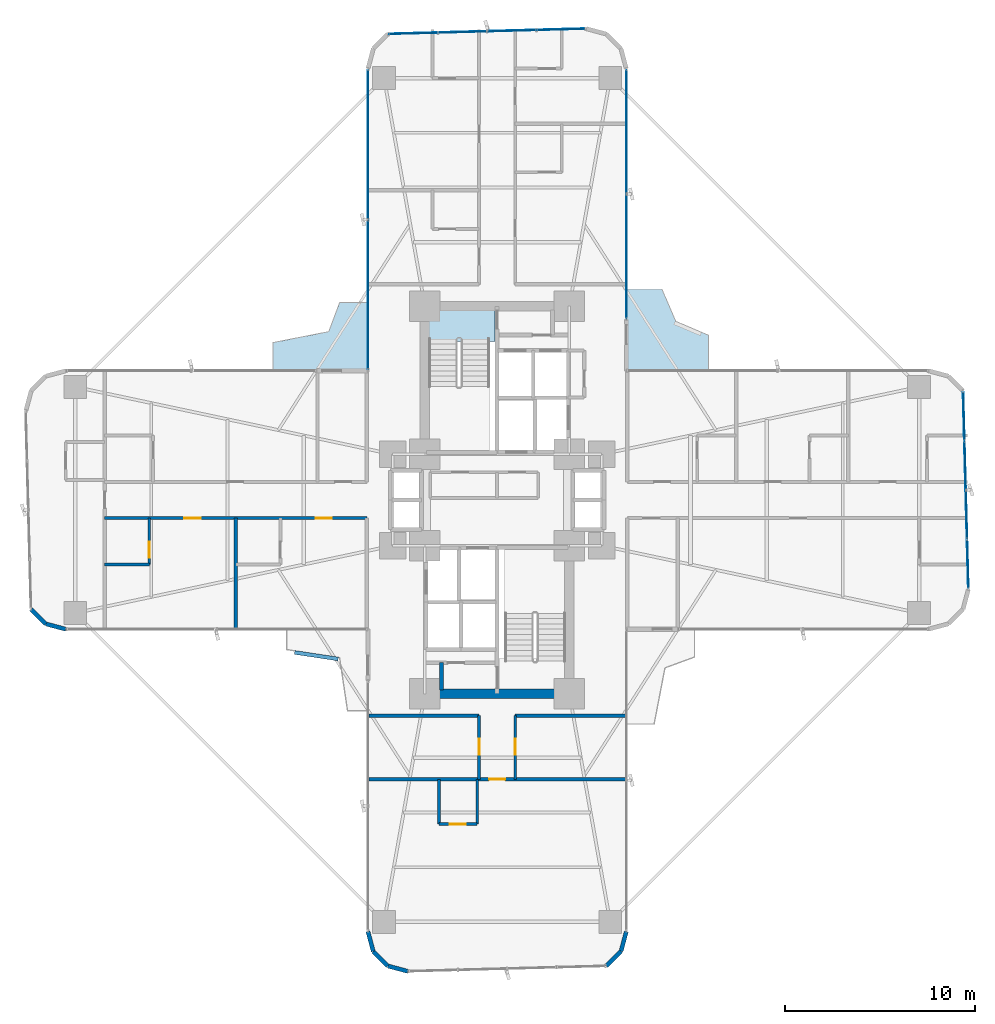
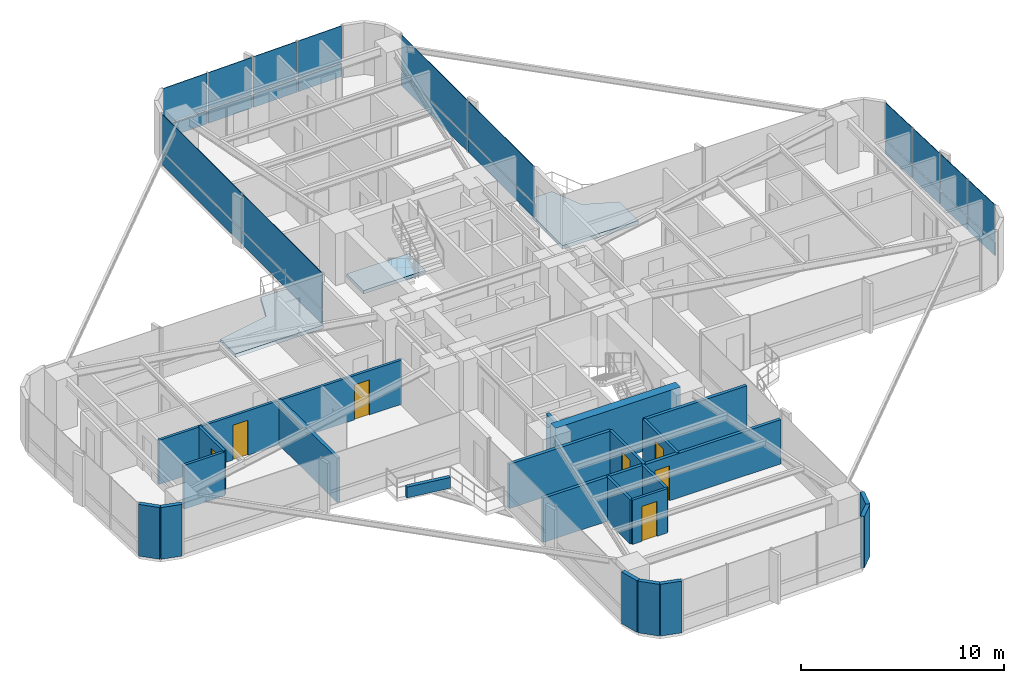
# One storey, part 21 of 26: 24 plates, 22 walls, 7 doors, 3 slabs, 7 openings, 4 elements without a shape of their own.
"""IFC4 building model written with IfcOpenShell, lengths in metres."""

import ifcopenshell
import ifcopenshell.guid

model = None  # the IFC model being written
_history = None  # IfcOwnerHistory: only IFC2X3 demands one
_inside = {}  # id of a spatial element -> (the spatial element, [elements in it])
_under = {}  # id of a project, library or spatial element -> (it, [spatial elements below it])
_declared = {}  # id of a project -> (the project, [libraries it declares])
_typed = {}  # id of a type object -> (the type object, [elements of that type])
_made_of = {}  # id of a material, layer set ... -> (it, [elements and type objects made of it])


def new_model(schema):
    """Start an empty IFC model of exactly this schema.

    Asked for "IFC4X3", IfcOpenShell would pick the latest addendum, in which some entities
    have other attributes; the version numbers below select the first issue.
    IFC2X3 requires an IfcOwnerHistory on every rooted entity: one is made here for all.
    """
    global model, _history
    if schema == "IFC4X3":
        model = ifcopenshell.file(schema_version=(4, 3, 0, 0))
    else:
        model = ifcopenshell.file(schema=schema)
    _inside.clear()
    _under.clear()
    _declared.clear()
    _typed.clear()
    _made_of.clear()
    _history = None
    if model.schema == "IFC2X3":
        org = make("IfcOrganization", Name="unknown")
        user = make(
            "IfcPersonAndOrganization",
            ThePerson=make("IfcPerson", FamilyName="unknown"),
            TheOrganization=org,
        )
        app = make(
            "IfcApplication",
            ApplicationDeveloper=org,
            Version="unknown",
            ApplicationFullName="unknown",
            ApplicationIdentifier="unknown",
        )
        _history = make(
            "IfcOwnerHistory",
            OwningUser=user,
            OwningApplication=app,
            ChangeAction="ADDED",
            CreationDate=0,
        )
    return model


def make(cls, **values):
    """One entity of the class cls with the attributes given. An attribute that is None is left unset."""
    return model.create_entity(
        cls, **{name: value for name, value in values.items() if value is not None}
    )


def rooted(cls, **values):
    """An entity with a GlobalId (a new one), such as an element, a storey or a relation."""
    return make(cls, GlobalId=ifcopenshell.guid.new(), OwnerHistory=_history, **values)


def si_unit(unit_type, name, prefix=None):
    """IfcSIUnit, for example si_unit("LENGTHUNIT", "METRE", prefix="MILLI")."""
    return make("IfcSIUnit", UnitType=unit_type, Prefix=prefix, Name=name)


def assignment(units):
    """IfcUnitAssignment: the units of a project."""
    return None if units is None else make("IfcUnitAssignment", Units=units)


def point(xyz):
    """IfcCartesianPoint."""
    return None if xyz is None else make("IfcCartesianPoint", Coordinates=xyz)


def direction(xyz):
    """IfcDirection."""
    return None if xyz is None else make("IfcDirection", DirectionRatios=xyz)


def frame(location, z_axis=None, x_axis=None):
    """IfcAxis2Placement3D, a coordinate frame: its origin and axes. An axis left out is left unset."""
    return make(
        "IfcAxis2Placement3D",
        Location=point(location),
        Axis=direction(z_axis),
        RefDirection=direction(x_axis),
    )


def frame_2d(location, x_axis=None):
    """IfcAxis2Placement2D, a coordinate frame in the plane: its origin and x axis."""
    return make(
        "IfcAxis2Placement2D", Location=point(location), RefDirection=direction(x_axis)
    )


def origin():
    """The frame at (0, 0, 0) with its axes left unset."""
    return frame((0.0, 0.0, 0.0))


def origin_2d():
    """The frame at (0, 0) in the plane with its x axis left unset."""
    return frame_2d((0.0, 0.0))


def place(relative_to, where):
    """IfcLocalPlacement: puts the frame where relative to a parent placement (None: the world)."""
    return make(
        "IfcLocalPlacement", PlacementRelTo=relative_to, RelativePlacement=where
    )


def context(
    kind, dimensions, precision=None, world=None, true_north=None, identifier=None
):
    """IfcGeometricRepresentationContext, for example the 3D "Model" context."""
    return make(
        "IfcGeometricRepresentationContext",
        ContextIdentifier=identifier,
        ContextType=kind,
        CoordinateSpaceDimension=dimensions,
        Precision=precision,
        WorldCoordinateSystem=world,
        TrueNorth=true_north,
    )


def subcontext(parent, identifier, kind, view, scale=None):
    """IfcGeometricRepresentationSubContext, for example "Body" below "Model"."""
    return make(
        "IfcGeometricRepresentationSubContext",
        ContextIdentifier=identifier,
        ContextType=kind,
        ParentContext=parent,
        TargetScale=scale,
        TargetView=view,
    )


def project(units=None, contexts=None):
    """IfcProject with its units and contexts."""
    return rooted(
        "IfcProject",
        Name="project",
        RepresentationContexts=contexts,
        UnitsInContext=assignment(units),
    )


def spatial(cls, under=None, at=None, **own):
    """A site, building, storey or space (cls), placed at a placement, below another one or the project."""
    s = rooted(cls, ObjectPlacement=at, **own)
    if under is not None:
        _under.setdefault(under.id(), (under, []))[1].append(s)
    return s


def polyline(points):
    """IfcPolyline through the points."""
    return make("IfcPolyline", Points=[point(p) for p in points])


def profile(cls, at=None, kind="AREA", **sizes):
    """A parametric profile (cls). Its sizes go by their IFC names, for example OverallWidth=200.0."""
    return make(cls, ProfileType=kind, Position=at, **sizes)


def rectangle(**sizes):
    """IfcRectangleProfileDef."""
    return profile("IfcRectangleProfileDef", **sizes)


def outline(outer, holes=None, kind="AREA"):
    """IfcArbitraryClosedProfileDef: a profile drawn as a closed curve; with holes, ...WithVoids."""
    if holes is None:
        return make("IfcArbitraryClosedProfileDef", ProfileType=kind, OuterCurve=outer)
    return make(
        "IfcArbitraryProfileDefWithVoids",
        ProfileType=kind,
        OuterCurve=outer,
        InnerCurves=holes,
    )


def extrude(swept, where, along, depth):
    """IfcExtrudedAreaSolid: the profile swept, set in the frame where, extruded along a direction by depth."""
    return make(
        "IfcExtrudedAreaSolid",
        SweptArea=swept,
        Position=where,
        ExtrudedDirection=direction(along),
        Depth=depth,
    )


def shape(context_of_items, identifier, shape_type, items):
    """IfcShapeRepresentation: the items that make up one representation, for example the "Body"."""
    return make(
        "IfcShapeRepresentation",
        ContextOfItems=context_of_items,
        RepresentationIdentifier=identifier,
        RepresentationType=shape_type,
        Items=items,
    )


def source(mapping_origin, context_of_items, identifier, shape_type, items):
    """IfcRepresentationMap: a shape defined once, which mapped items show again and again."""
    return make(
        "IfcRepresentationMap",
        MappingOrigin=mapping_origin,
        MappedRepresentation=shape(context_of_items, identifier, shape_type, items),
    )


def transform(
    local_origin,
    x_axis=None,
    y_axis=None,
    z_axis=None,
    scale=None,
    scale2=None,
    scale3=None,
    uniform=True,
):
    """IfcCartesianTransformationOperator3D, or its non-uniform kind. x_axis, y_axis, z_axis: its Axis1, 2, 3."""
    if uniform:
        return make(
            "IfcCartesianTransformationOperator3D",
            Axis1=direction(x_axis),
            Axis2=direction(y_axis),
            LocalOrigin=point(local_origin),
            Scale=scale,
            Axis3=direction(z_axis),
        )
    return make(
        "IfcCartesianTransformationOperator3DnonUniform",
        Axis1=direction(x_axis),
        Axis2=direction(y_axis),
        LocalOrigin=point(local_origin),
        Scale=scale,
        Axis3=direction(z_axis),
        Scale2=scale2,
        Scale3=scale3,
    )


def mapped(mapping_source, mapping_target):
    """IfcMappedItem: shows the shape of a source again, moved by a transform."""
    return make(
        "IfcMappedItem", MappingSource=mapping_source, MappingTarget=mapping_target
    )


def material(Name=None, Category=None):
    """IfcMaterial."""
    return make("IfcMaterial", Name=Name, Category=Category)


def layer(
    of_material, thickness, ventilated=None, Name=None, Category=None, Priority=None
):
    """IfcMaterialLayer: one layer of a wall or slab, of a material (None: an air gap)."""
    return make(
        "IfcMaterialLayer",
        Material=of_material,
        LayerThickness=thickness,
        IsVentilated=ventilated,
        Name=Name,
        Category=Category,
        Priority=Priority,
    )


def layer_set(layers, Name=None):
    """IfcMaterialLayerSet."""
    return make("IfcMaterialLayerSet", MaterialLayers=layers, LayerSetName=Name)


def made_of(thing, what):
    """Note that an element or type object is made of a material, layer set ...; save() writes the relation."""
    if what is not None:
        _made_of.setdefault(what.id(), (what, []))[1].append(thing)
    return thing


def type_object(cls, material=None, **own):
    """A type object (cls), such as IfcWallType, which elements share."""
    return made_of(rooted(cls, **own), material)


def element(
    cls,
    number,
    at=None,
    inside=None,
    cuts=None,
    type_object=None,
    material=None,
    context=None,
    identifier="Body",
    shape_type=None,
    held_by="IfcProductDefinitionShape",
    body=None,
    shapes=None,
    **own,
):
    """One element of the class cls, such as IfcWall. Its Tag is "e" and its number.

    at: its placement. inside: the storey or other place that contains it. cuts: it is an
    opening in that element (IfcRelVoidsElement). A single representation is given by context,
    identifier, shape_type and body (its items); several are given by shapes. held_by: the class
    of the entity that holds the representations. save() writes the other relations.
    """
    e = rooted(cls, Tag="e%d" % number, ObjectPlacement=at, **own)
    if body is not None:
        shapes = [shape(context, identifier, shape_type, body)]
    if shapes is not None:
        e.Representation = make(held_by, Representations=shapes)
    if inside is not None:
        _inside.setdefault(inside.id(), (inside, []))[1].append(e)
    if cuts is not None:
        rooted(
            "IfcRelVoidsElement", RelatingBuildingElement=cuts, RelatedOpeningElement=e
        )
    if type_object is not None:
        _typed.setdefault(type_object.id(), (type_object, []))[1].append(e)
    return made_of(e, material)


def fill(opening, filler):
    """IfcRelFillsElement: the door or window that sits in an opening."""
    return rooted(
        "IfcRelFillsElement",
        RelatingOpeningElement=opening,
        RelatedBuildingElement=filler,
    )


def aggregate(whole, parts):
    """IfcRelAggregates: a whole, such as a stair, and the parts it consists of."""
    return rooted("IfcRelAggregates", RelatingObject=whole, RelatedObjects=parts)


def save(model, path):
    """Write the relations noted so far, then the file.

    IfcRelAggregates (storeys below a building ...), IfcRelContainedInSpatialStructure (elements
    in a storey), IfcRelDefinesByType, IfcRelAssociatesMaterial and IfcRelDeclares: one each for
    every whole, place, type object, material and project.
    """
    for whole, parts in _under.values():
        aggregate(whole, parts)
    for where, things in _inside.values():
        rooted(
            "IfcRelContainedInSpatialStructure",
            RelatedElements=things,
            RelatingStructure=where,
        )
    for kind, things in _typed.values():
        rooted("IfcRelDefinesByType", RelatedObjects=things, RelatingType=kind)
    for what, things in _made_of.values():
        rooted("IfcRelAssociatesMaterial", RelatedObjects=things, RelatingMaterial=what)
    for by, libraries in _declared.values():
        rooted("IfcRelDeclares", RelatingContext=by, RelatedDefinitions=libraries)
    model.write(path)


model = new_model("IFC4")

# Units and contexts
model_context = context("Model", 3, precision=1e-05, world=origin(), true_north=direction((0.0, 1.0)))
body_context = subcontext(model_context, "Body", "Model", "MODEL_VIEW")
ifc_project = project(units=[si_unit("LENGTHUNIT", "METRE"), si_unit("AREAUNIT", "SQUARE_METRE"), si_unit("VOLUMEUNIT", "CUBIC_METRE"), si_unit("PLANEANGLEUNIT", "RADIAN"), si_unit("MASSUNIT", "GRAM", prefix="KILO")], contexts=[model_context])

# Site, building, storey
site_placement = place(None, origin())
site = spatial("IfcSite", under=ifc_project, at=site_placement, CompositionType="ELEMENT")
building_placement = place(site_placement, origin())
building = spatial("IfcBuilding", under=site, at=building_placement, Name="Sahyath Konkavel Grand Hotel", CompositionType="ELEMENT")
storey_placement = place(building_placement, frame((0.0, 0.0, 26.449951171875)))
storey = spatial("IfcBuildingStorey", under=building, at=storey_placement, Name="L06", CompositionType="ELEMENT", Elevation=26.449951171875)

# Slabs
ifc_material_1 = material(Name="Concrete C40/50", Category="concrete")
ifc_layer_1 = layer(ifc_material_1, 0.219970703125)
ifc_layer_set_1 = layer_set([ifc_layer_1], Name="Concrete C40/50")
slab_type_1 = type_object("IfcSlabType", Name="SLB-BALCONY-220", PredefinedType="FLOOR", material=ifc_layer_set_1)
slab_1_placement = place(storey_placement, frame((0.0, 0.0, -0.219970703125)))
element("IfcSlab", 1, at=slab_1_placement, inside=storey, type_object=slab_type_1, Name="L06 Winter-Garden Balcony NE", PredefinedType="FLOOR", context=body_context, shape_type="SweptSolid", body=[
    extrude(outline(polyline([(6.800048828125, 6.800048828125), (11.111083984375, 6.800048828125), (11.111083984375, 8.672119140625), (9.39990234375, 9.39990234375), (8.672119140625, 11.089111328125), (6.800048828125, 11.089111328125), (6.800048828125, 6.800048828125)])), origin(), (0.0, 0.0, 1.0), 0.219970703125),
])
slab_2_placement = place(storey_placement, frame((0.0, 0.0, -0.219970703125)))
element("IfcSlab", 2, at=slab_2_placement, inside=storey, type_object=slab_type_1, Name="L06 Winter-Garden Balcony NW", PredefinedType="FLOOR", context=body_context, shape_type="SweptSolid", body=[
    extrude(outline(polyline([(-6.800048828125, 6.800048828125), (-6.800048828125, 10.39990234375), (-8.282470703125, 10.39990234375), (-8.85888671875, 8.85888671875), (-11.800048828125, 8.282470703125), (-11.800048828125, 6.800048828125), (-6.800048828125, 6.800048828125)])), origin(), (0.0, 0.0, 1.0), 0.219970703125),
])
ifc_layer_2 = layer(ifc_material_1, 0.199951171875)
ifc_layer_set_2 = layer_set([ifc_layer_2], Name="Concrete C40/50")
slab_type_2 = type_object("IfcSlabType", Name="SLB-STAIR-LND", PredefinedType="LANDING", material=ifc_layer_set_2)
slab_3_placement = place(storey_placement, frame((0.0, 0.0, -0.199951171875)))
element("IfcSlab", 3, at=slab_3_placement, inside=storey, type_object=slab_type_2, Name="L06 Stair ST-1 Floor Landing Slab", PredefinedType="LANDING", context=body_context, shape_type="SweptSolid", body=[
    extrude(outline(polyline([(-3.6201171875, 8.35009765625), (-0.10009765625, 8.35009765625), (-0.10009765625, 10.02001953125), (-3.6201171875, 10.02001953125), (-3.6201171875, 8.35009765625)])), origin(), (0.0, 0.0, 1.0), 0.199951171875),
])

# Curtain wall, plates
ifc_material_2 = material(Name="Anodised Bronze Aluminium & Low-E Glazing", Category="aluminium")
curtain_wall_type = type_object("IfcCurtainWallType", Name="CW-ZONE1", PredefinedType="NOTDEFINED", material=ifc_material_2)
curtain_wall_1_placement = place(storey_placement, origin())
curtain_wall_1 = element("IfcCurtainWall", 4, at=curtain_wall_1_placement, inside=storey, type_object=curtain_wall_type, Name="L06 Unitised Curtain Wall F15", PredefinedType="NOTDEFINED")
ifc_material_3 = material(Name="Warm Buff Sandstone Cladding", Category="masonry")
ifc_layer_3 = layer(ifc_material_3, 0.074951171875)
ifc_layer_set_3 = layer_set([ifc_layer_3], Name="Warm Buff Sandstone Cladding")
plate_type_1 = type_object("IfcPlateType", Name="PNL-SPANDREL-STONE", PredefinedType="SHEET", material=ifc_layer_set_3)
shared_shape_1 = source(origin(), body_context, "Body", "SweptSolid", [
    extrude(rectangle(XDim=7.830078125, YDim=0.074951171875, at=origin_2d()), origin(), (0.0, 0.0, 1.0), 0.77001953125),
])
plate_1_placement = place(storey_placement, frame((-6.800048828125, 18.705078125, 0.0400390625), z_axis=(0.0, 0.0, 1.0), x_axis=(0.0, -1.0, 0.0)))
plate_1 = element("IfcPlate", 5, at=plate_1_placement, type_object=plate_type_1, Name="L06 Sandstone Relief Spandrel Panel F15-0", PredefinedType="SHEET", context=body_context, shape_type="MappedRepresentation", body=[
    mapped(shared_shape_1, transform((0.0, 0.0, 0.0), scale=1.0)),
])
plate_2_placement = place(storey_placement, frame((-6.800048828125, 10.794921875, 0.0400390625), z_axis=(0.0, 0.0, 1.0), x_axis=(0.0, -1.0, 0.0)))
plate_2 = element("IfcPlate", 6, at=plate_2_placement, type_object=plate_type_1, Name="L06 Sandstone Relief Spandrel Panel F15-1", PredefinedType="SHEET", context=body_context, shape_type="MappedRepresentation", body=[
    mapped(shared_shape_1, transform((0.0, 0.0, 0.0), scale=1.0)),
])
ifc_material_4 = material(Name="Low-E Solar Control Double Glazing", Category="glass")
ifc_layer_4 = layer(ifc_material_4, 0.035888671875)
ifc_layer_set_4 = layer_set([ifc_layer_4], Name="Low-E Solar Control Double Glazing")
plate_type_2 = type_object("IfcPlateType", Name="PNL-VISION-LOWE", PredefinedType="CURTAIN_PANEL", material=ifc_layer_set_4)
shared_shape_2 = source(origin(), body_context, "Body", "SweptSolid", [
    extrude(rectangle(XDim=7.830078125, YDim=0.035888671875, at=origin_2d()), origin(), (0.0, 0.0, 1.0), 2.179931640625),
])
plate_3_placement = place(storey_placement, frame((-6.800048828125, 18.705078125, 0.89013671875), z_axis=(0.0, 0.0, 1.0), x_axis=(0.0, -1.0, 0.0)))
plate_3 = element("IfcPlate", 7, at=plate_3_placement, type_object=plate_type_2, Name="L06 Low-E Vision Glazing Panel F15-0", PredefinedType="CURTAIN_PANEL", context=body_context, shape_type="MappedRepresentation", body=[
    mapped(shared_shape_2, transform((0.0, 0.0, 0.0), scale=1.0)),
])
plate_4_placement = place(storey_placement, frame((-6.800048828125, 10.794921875, 0.89013671875), z_axis=(0.0, 0.0, 1.0), x_axis=(0.0, -1.0, 0.0)))
plate_4 = element("IfcPlate", 8, at=plate_4_placement, type_object=plate_type_2, Name="L06 Low-E Vision Glazing Panel F15-1", PredefinedType="CURTAIN_PANEL", context=body_context, shape_type="MappedRepresentation", body=[
    mapped(shared_shape_2, transform((0.0, 0.0, 0.0), scale=1.0)),
])
aggregate(curtain_wall_1, [plate_1, plate_3, plate_2, plate_4])

curtain_wall_2_placement = place(storey_placement, origin())
curtain_wall_2 = element("IfcCurtainWall", 9, at=curtain_wall_2_placement, inside=storey, type_object=curtain_wall_type, Name="L06 Unitised Curtain Wall F4", PredefinedType="NOTDEFINED")
shared_shape_3 = source(origin(), body_context, "Body", "SweptSolid", [
    extrude(rectangle(XDim=2.513427734375, YDim=0.074951171875, at=origin_2d()), origin(), (0.0, 0.0, 1.0), 0.77001953125),
])
plate_5_placement = place(storey_placement, frame((24.763916015625, -3.36376953125, 0.0400390625), z_axis=(0.0, 0.0, 1.0), x_axis=(-0.026909728301, 0.999637867691, 0.0)))
plate_5 = element("IfcPlate", 10, at=plate_5_placement, type_object=plate_type_1, Name="L06 Sandstone Relief Spandrel Panel F4-0", PredefinedType="SHEET", context=body_context, shape_type="MappedRepresentation", body=[
    mapped(shared_shape_3, transform((0.0, 0.0, 0.0), scale=1.0)),
])
plate_6_placement = place(storey_placement, frame((24.694091796875, -0.771240234375, 0.0400390625), z_axis=(0.0, 0.0, 1.0), x_axis=(-0.026909728301, 0.999637867691, 0.0)))
plate_6 = element("IfcPlate", 11, at=plate_6_placement, type_object=plate_type_1, Name="L06 Sandstone Relief Spandrel Panel F4-1", PredefinedType="SHEET", context=body_context, shape_type="MappedRepresentation", body=[
    mapped(shared_shape_3, transform((0.0, 0.0, 0.0), scale=1.0)),
])
plate_7_placement = place(storey_placement, frame((24.62451171875, 1.8212890625, 0.0400390625), z_axis=(0.0, 0.0, 1.0), x_axis=(-0.026909728301, 0.999637867691, 0.0)))
plate_7 = element("IfcPlate", 12, at=plate_7_placement, type_object=plate_type_1, Name="L06 Sandstone Relief Spandrel Panel F4-2", PredefinedType="SHEET", context=body_context, shape_type="MappedRepresentation", body=[
    mapped(shared_shape_3, transform((0.0, 0.0, 0.0), scale=1.0)),
])
plate_8_placement = place(storey_placement, frame((24.5546875, 4.413818359375, 0.0400390625), z_axis=(0.0, 0.0, 1.0), x_axis=(-0.026909728301, 0.999637867691, 0.0)))
plate_8 = element("IfcPlate", 13, at=plate_8_placement, type_object=plate_type_1, Name="L06 Sandstone Relief Spandrel Panel F4-3", PredefinedType="SHEET", context=body_context, shape_type="MappedRepresentation", body=[
    mapped(shared_shape_3, transform((0.0, 0.0, 0.0), scale=1.0)),
])

curtain_wall_3_placement = place(storey_placement, origin())
curtain_wall_3 = element("IfcCurtainWall", 14, at=curtain_wall_3_placement, inside=storey, type_object=curtain_wall_type, Name="L06 Unitised Curtain Wall F12", PredefinedType="NOTDEFINED")
plate_9_placement = place(storey_placement, frame((3.36376953125, 24.763916015625, 0.0400390625), z_axis=(0.0, 0.0, 1.0), x_axis=(-0.999637867691, -0.026909728301, 0.0)))
plate_9 = element("IfcPlate", 15, at=plate_9_placement, type_object=plate_type_1, Name="L06 Sandstone Relief Spandrel Panel F12-0", PredefinedType="SHEET", context=body_context, shape_type="MappedRepresentation", body=[
    mapped(shared_shape_3, transform((0.0, 0.0, 0.0), scale=1.0)),
])
plate_10_placement = place(storey_placement, frame((0.771240234375, 24.694091796875, 0.0400390625), z_axis=(0.0, 0.0, 1.0), x_axis=(-0.999637867691, -0.026909728301, 0.0)))
plate_10 = element("IfcPlate", 16, at=plate_10_placement, type_object=plate_type_1, Name="L06 Sandstone Relief Spandrel Panel F12-1", PredefinedType="SHEET", context=body_context, shape_type="MappedRepresentation", body=[
    mapped(shared_shape_3, transform((0.0, 0.0, 0.0), scale=1.0)),
])
plate_11_placement = place(storey_placement, frame((-1.8212890625, 24.62451171875, 0.0400390625), z_axis=(0.0, 0.0, 1.0), x_axis=(-0.999637867691, -0.026909728301, 0.0)))
plate_11 = element("IfcPlate", 17, at=plate_11_placement, type_object=plate_type_1, Name="L06 Sandstone Relief Spandrel Panel F12-2", PredefinedType="SHEET", context=body_context, shape_type="MappedRepresentation", body=[
    mapped(shared_shape_3, transform((0.0, 0.0, 0.0), scale=1.0)),
])
plate_12_placement = place(storey_placement, frame((-4.413818359375, 24.5546875, 0.0400390625), z_axis=(0.0, 0.0, 1.0), x_axis=(-0.999637867691, -0.026909728301, 0.0)))
plate_12 = element("IfcPlate", 18, at=plate_12_placement, type_object=plate_type_1, Name="L06 Sandstone Relief Spandrel Panel F12-3", PredefinedType="SHEET", context=body_context, shape_type="MappedRepresentation", body=[
    mapped(shared_shape_3, transform((0.0, 0.0, 0.0), scale=1.0)),
])

# Plate
shared_shape_4 = source(origin(), body_context, "Body", "SweptSolid", [
    extrude(rectangle(XDim=2.513427734375, YDim=0.035888671875, at=origin_2d()), origin(), (0.0, 0.0, 1.0), 2.179931640625),
])
plate_13_placement = place(storey_placement, frame((24.763916015625, -3.36376953125, 0.89013671875), z_axis=(0.0, 0.0, 1.0), x_axis=(-0.026909728301, 0.999637867691, 0.0)))
plate_13 = element("IfcPlate", 19, at=plate_13_placement, type_object=plate_type_2, Name="L06 Low-E Vision Glazing Panel F4-0", PredefinedType="CURTAIN_PANEL", context=body_context, shape_type="MappedRepresentation", body=[
    mapped(shared_shape_4, transform((0.0, 0.0, 0.0), scale=1.0)),
])

plate_14_placement = place(storey_placement, frame((24.694091796875, -0.771240234375, 0.89013671875), z_axis=(0.0, 0.0, 1.0), x_axis=(-0.026909728301, 0.999637867691, 0.0)))
plate_14 = element("IfcPlate", 20, at=plate_14_placement, type_object=plate_type_2, Name="L06 Low-E Vision Glazing Panel F4-1", PredefinedType="CURTAIN_PANEL", context=body_context, shape_type="MappedRepresentation", body=[
    mapped(shared_shape_4, transform((0.0, 0.0, 0.0), scale=1.0)),
])

plate_15_placement = place(storey_placement, frame((24.62451171875, 1.8212890625, 0.89013671875), z_axis=(0.0, 0.0, 1.0), x_axis=(-0.026909728301, 0.999637867691, 0.0)))
plate_15 = element("IfcPlate", 21, at=plate_15_placement, type_object=plate_type_2, Name="L06 Low-E Vision Glazing Panel F4-2", PredefinedType="CURTAIN_PANEL", context=body_context, shape_type="MappedRepresentation", body=[
    mapped(shared_shape_4, transform((0.0, 0.0, 0.0), scale=1.0)),
])

plate_16_placement = place(storey_placement, frame((24.5546875, 4.413818359375, 0.89013671875), z_axis=(0.0, 0.0, 1.0), x_axis=(-0.026909728301, 0.999637867691, 0.0)))
plate_16 = element("IfcPlate", 22, at=plate_16_placement, type_object=plate_type_2, Name="L06 Low-E Vision Glazing Panel F4-3", PredefinedType="CURTAIN_PANEL", context=body_context, shape_type="MappedRepresentation", body=[
    mapped(shared_shape_4, transform((0.0, 0.0, 0.0), scale=1.0)),
])

aggregate(curtain_wall_2, [plate_5, plate_13, plate_6, plate_14, plate_7, plate_15, plate_8, plate_16])

plate_17_placement = place(storey_placement, frame((3.36376953125, 24.763916015625, 0.89013671875), z_axis=(0.0, 0.0, 1.0), x_axis=(-0.999637867691, -0.026909728301, 0.0)))
plate_17 = element("IfcPlate", 23, at=plate_17_placement, type_object=plate_type_2, Name="L06 Low-E Vision Glazing Panel F12-0", PredefinedType="CURTAIN_PANEL", context=body_context, shape_type="MappedRepresentation", body=[
    mapped(shared_shape_4, transform((0.0, 0.0, 0.0), scale=1.0)),
])

plate_18_placement = place(storey_placement, frame((0.771240234375, 24.694091796875, 0.89013671875), z_axis=(0.0, 0.0, 1.0), x_axis=(-0.999637867691, -0.026909728301, 0.0)))
plate_18 = element("IfcPlate", 24, at=plate_18_placement, type_object=plate_type_2, Name="L06 Low-E Vision Glazing Panel F12-1", PredefinedType="CURTAIN_PANEL", context=body_context, shape_type="MappedRepresentation", body=[
    mapped(shared_shape_4, transform((0.0, 0.0, 0.0), scale=1.0)),
])

plate_19_placement = place(storey_placement, frame((-1.8212890625, 24.62451171875, 0.89013671875), z_axis=(0.0, 0.0, 1.0), x_axis=(-0.999637867691, -0.026909728301, 0.0)))
plate_19 = element("IfcPlate", 25, at=plate_19_placement, type_object=plate_type_2, Name="L06 Low-E Vision Glazing Panel F12-2", PredefinedType="CURTAIN_PANEL", context=body_context, shape_type="MappedRepresentation", body=[
    mapped(shared_shape_4, transform((0.0, 0.0, 0.0), scale=1.0)),
])

plate_20_placement = place(storey_placement, frame((-4.413818359375, 24.5546875, 0.89013671875), z_axis=(0.0, 0.0, 1.0), x_axis=(-0.999637867691, -0.026909728301, 0.0)))
plate_20 = element("IfcPlate", 26, at=plate_20_placement, type_object=plate_type_2, Name="L06 Low-E Vision Glazing Panel F12-3", PredefinedType="CURTAIN_PANEL", context=body_context, shape_type="MappedRepresentation", body=[
    mapped(shared_shape_4, transform((0.0, 0.0, 0.0), scale=1.0)),
])

aggregate(curtain_wall_3, [plate_9, plate_17, plate_10, plate_18, plate_11, plate_19, plate_12, plate_20])

# Curtain wall, plates
curtain_wall_4_placement = place(storey_placement, origin())
curtain_wall_4 = element("IfcCurtainWall", 27, at=curtain_wall_4_placement, inside=storey, type_object=curtain_wall_type, Name="L06 Unitised Curtain Wall F8", PredefinedType="NOTDEFINED")
shared_shape_5 = source(origin(), body_context, "Body", "SweptSolid", [
    extrude(rectangle(XDim=6.47998046875, YDim=0.074951171875, at=origin_2d()), origin(), (0.0, 0.0, 1.0), 0.77001953125),
])
plate_21_placement = place(storey_placement, frame((6.800048828125, 12.820068359375, 0.0400390625), z_axis=(0.0, 0.0, 1.0), x_axis=(0.0, 1.0, 0.0)))
plate_21 = element("IfcPlate", 28, at=plate_21_placement, type_object=plate_type_1, Name="L06 Sandstone Relief Spandrel Panel F8-0", PredefinedType="SHEET", context=body_context, shape_type="MappedRepresentation", body=[
    mapped(shared_shape_5, transform((0.0, 0.0, 0.0), scale=1.0)),
])
plate_22_placement = place(storey_placement, frame((6.800048828125, 19.3798828125, 0.0400390625), z_axis=(0.0, 0.0, 1.0), x_axis=(0.0, 1.0, 0.0)))
plate_22 = element("IfcPlate", 29, at=plate_22_placement, type_object=plate_type_1, Name="L06 Sandstone Relief Spandrel Panel F8-1", PredefinedType="SHEET", context=body_context, shape_type="MappedRepresentation", body=[
    mapped(shared_shape_5, transform((0.0, 0.0, 0.0), scale=1.0)),
])
shared_shape_6 = source(origin(), body_context, "Body", "SweptSolid", [
    extrude(rectangle(XDim=6.47998046875, YDim=0.035888671875, at=origin_2d()), origin(), (0.0, 0.0, 1.0), 2.179931640625),
])
plate_23_placement = place(storey_placement, frame((6.800048828125, 12.820068359375, 0.89013671875), z_axis=(0.0, 0.0, 1.0), x_axis=(0.0, 1.0, 0.0)))
plate_23 = element("IfcPlate", 30, at=plate_23_placement, type_object=plate_type_2, Name="L06 Low-E Vision Glazing Panel F8-0", PredefinedType="CURTAIN_PANEL", context=body_context, shape_type="MappedRepresentation", body=[
    mapped(shared_shape_6, transform((0.0, 0.0, 0.0), scale=1.0)),
])
plate_24_placement = place(storey_placement, frame((6.800048828125, 19.3798828125, 0.89013671875), z_axis=(0.0, 0.0, 1.0), x_axis=(0.0, 1.0, 0.0)))
plate_24 = element("IfcPlate", 31, at=plate_24_placement, type_object=plate_type_2, Name="L06 Low-E Vision Glazing Panel F8-1", PredefinedType="CURTAIN_PANEL", context=body_context, shape_type="MappedRepresentation", body=[
    mapped(shared_shape_6, transform((0.0, 0.0, 0.0), scale=1.0)),
])
aggregate(curtain_wall_4, [plate_21, plate_23, plate_22, plate_24])

# Walls
ifc_material_5 = material(Name="Concrete C70/85", Category="concrete")
ifc_layer_5 = layer(ifc_material_5, 0.5)
ifc_layer_set_5 = layer_set([ifc_layer_5], Name="Concrete C70/85")
wall_type_1 = type_object("IfcWallType", Name="CWALL-500", PredefinedType="SHEAR", material=ifc_layer_set_5)
wall_1_placement = place(storey_placement, frame((-3.550048828125, -10.199951171875, 0.0), z_axis=(0.0, 0.0, 1.0), x_axis=(1.0, 0.0, 0.0)))
element("IfcWall", 32, at=wall_1_placement, inside=storey, type_object=wall_type_1, Name="L06 South Core Shear Wall S", PredefinedType="SHEAR", context=body_context, shape_type="SweptSolid", body=[
    extrude(rectangle(XDim=7.10009765625, YDim=0.5, at=frame_2d((3.550048828125, 0.0))), origin(), (0.0, 0.0, 1.0), 3.110107421875),
])
ifc_material_6 = material(Name="Warm Buff Sandstone Insulated Concrete C40/50", Category="masonry")
ifc_layer_6 = layer(ifc_material_6, 0.219970703125)
ifc_layer_set_6 = layer_set([ifc_layer_6], Name="Warm Buff Sandstone Insulated Concrete C40/50")
wall_type_2 = type_object("IfcWallType", Name="WLL-BALC-THRESH", PredefinedType="STANDARD", material=ifc_layer_set_6)
for number, where, z_axis, x_axis, name in (
    (33, (-24.518798828125, -5.75, 0.0), (0.0, 0.0, 1.0), (0.707106781187, -0.707106781187, 0.0), "L06 Rounded Corner Sandstone Pier 21"),
    (34, (-23.75, -6.518798828125, 0.0), (0.0, 0.0, 1.0), (0.965951058412, -0.25872485917, 0.0), "L06 Rounded Corner Sandstone Pier 22"),
    (35, (-6.800048828125, -22.699951171875, 0.0), (0.0, 0.0, 1.0), (0.25872485917, -0.965951058412, 0.0), "L06 Rounded Corner Sandstone Pier 25"),
    (36, (-6.518798828125, -23.75, 0.0), (0.0, 0.0, 1.0), (0.707106781187, -0.707106781187, 0.0), "L06 Rounded Corner Sandstone Pier 26"),
    (37, (-5.75, -24.518798828125, 0.0), (0.0, 0.0, 1.0), (0.965951058412, -0.25872485917, 0.0), "L06 Rounded Corner Sandstone Pier 27"),
    (38, (5.75, -24.518798828125, 0.0), (0.0, 0.0, 1.0), (0.707106781187, 0.707106781187, 0.0), "L06 Rounded Corner Sandstone Pier 29"),
    (39, (6.518798828125, -23.75, 0.0), (0.0, 0.0, 1.0), (0.25872485917, 0.965951058412, 0.0), "L06 Rounded Corner Sandstone Pier 30"),
):
    element("IfcWall", number, at=place(storey_placement, frame(where, z_axis=z_axis, x_axis=x_axis)), inside=storey, type_object=wall_type_2, Name=name, PredefinedType="STANDARD", context=body_context, shape_type="SweptSolid", body=[
        extrude(rectangle(XDim=1.087158203125, YDim=0.219970703125, at=frame_2d((0.54345703125, 0.0))), origin(), (0.0, 0.0, 1.0), 3.110107421875),
    ])
ifc_layer_7 = layer(ifc_material_1, 0.199951171875)
ifc_layer_set_7 = layer_set([ifc_layer_7], Name="Concrete C40/50")
wall_type_3 = type_object("IfcWallType", Name="WLL-CORE-200", PredefinedType="SOLIDWALL", material=ifc_layer_set_7)
wall_2_placement = place(storey_placement, frame((-2.919921875, -10.0, 0.0), z_axis=(0.0, 0.0, 1.0), x_axis=(0.0, 1.0, 0.0)))
element("IfcWall", 40, at=wall_2_placement, inside=storey, type_object=wall_type_3, Name="L06 Partition SFF-W2", PredefinedType="SOLIDWALL", context=body_context, shape_type="SweptSolid", body=[
    extrude(rectangle(XDim=1.43994140625, YDim=0.199951171875, at=frame_2d((0.719970703125, 0.0))), origin(), (0.0, 0.0, 1.0), 2.66015625),
])
ifc_material_7 = material(Name="Twin-Stud Acoustic Gypsum Plasterboard Partition")
ifc_layer_8 = layer(ifc_material_7, 0.179931640625)
ifc_layer_set_8 = layer_set([ifc_layer_8], Name="Twin-Stud Acoustic Gypsum Plasterboard Partition")
wall_type_4 = type_object("IfcWallType", Name="WLL-DEMISE-180", PredefinedType="PARTITIONING", material=ifc_layer_set_8)
for number, where, z_axis, x_axis, name in (
    (41, (-13.75, -0.949951171875, 0.0), (0.0, 0.0, 1.0), (0.0, -1.0, 0.0), "L06 Partition W-W4L1-DEM"),
    (42, (0.949951171875, -11.35009765625, 0.0), (0.0, 0.0, 1.0), (1.0, 0.0, 0.0), "L06 Partition S-INL"),
    (43, (-6.75, -11.35009765625, 0.0), (0.0, 0.0, 1.0), (1.0, 0.0, 0.0), "L06 Partition S-INR"),
):
    element("IfcWall", number, at=place(storey_placement, frame(where, z_axis=z_axis, x_axis=x_axis)), inside=storey, type_object=wall_type_4, Name=name, PredefinedType="PARTITIONING", context=body_context, shape_type="SweptSolid", body=[
        extrude(rectangle(XDim=5.800048828125, YDim=0.179931640625, at=frame_2d((2.89990234375, 0.0))), origin(), (0.0, 0.0, 1.0), 2.66015625),
    ])

# Wall, opening, door
wall_3_placement = place(storey_placement, frame((-6.75, -14.699951171875, 0.0), z_axis=(0.0, 0.0, 1.0), x_axis=(1.0, 0.0, 0.0)))
wall_3 = element("IfcWall", 44, at=wall_3_placement, inside=storey, type_object=wall_type_4, Name="L06 Partition S-STIP-END", PredefinedType="PARTITIONING", context=body_context, shape_type="SweptSolid", body=[
    extrude(rectangle(XDim=13.5, YDim=0.179931640625, at=frame_2d((6.75, 0.0))), origin(), (0.0, 0.0, 1.0), 2.66015625),
])
opening_1_placement = place(wall_3_placement, frame((6.324951171875, 0.0, 0.0)))
opening_1 = element("IfcOpeningElement", 45, at=opening_1_placement, cuts=wall_3, Name="Opening D-F06D", PredefinedType="OPENING", context=body_context, shape_type="SweptSolid", body=[
    extrude(rectangle(XDim=0.85009765625, YDim=2.10009765625, at=frame_2d((0.425048828125, 1.050048828125))), frame((0.0, 0.10009765625, 0.0), z_axis=(0.0, -1.0, 0.0), x_axis=(1.0, 0.0, 0.0)), (0.0, 0.0, 1.0), 0.199951171875),
])
ifc_material_8 = material(Name="Fire-Rated Shaft Access Door")
door_type_1 = type_object("IfcDoorType", Name="DR-FD60-850", OperationType="NOTDEFINED", PredefinedType="DOOR", material=ifc_material_8)
shared_shape_7 = source(origin(), body_context, "Body", "SweptSolid", [
    extrude(rectangle(XDim=0.85009765625, YDim=0.050048828125, at=origin_2d()), origin(), (0.0, 0.0, 1.0), 2.10009765625),
])
door_1_placement = place(opening_1_placement, frame((0.425048828125, 0.0, 0.0)))
door_1 = element("IfcDoor", 46, at=door_1_placement, inside=storey, type_object=door_type_1, Name="L06 Door S-STIP-ED", OperationType="SINGLE_SWING_RIGHT", OverallHeight=2.10009765625, OverallWidth=0.85009765625, PredefinedType="DOOR", context=body_context, shape_type="MappedRepresentation", body=[
    mapped(shared_shape_7, transform((0.0, 0.0, 0.0), scale=1.0)),
])
fill(opening_1, door_1)

# Wall, openings, doors
ifc_material_9 = material(Name="Fire-Rated Gypsum Plasterboard Partition")
ifc_layer_9 = layer(ifc_material_9, 0.14990234375)
ifc_layer_set_9 = layer_set([ifc_layer_9], Name="Fire-Rated Gypsum Plasterboard Partition")
wall_type_5 = type_object("IfcWallType", Name="WLL-PART-150", PredefinedType="PARTITIONING", material=ifc_layer_set_9)
wall_4_placement = place(storey_placement, frame((-6.85009765625, -0.949951171875, 0.0), z_axis=(0.0, 0.0, 1.0), x_axis=(-1.0, 0.0, 0.0)))
wall_4 = element("IfcWall", 47, at=wall_4_placement, inside=storey, type_object=wall_type_5, Name="L06 Partition W-CL", PredefinedType="PARTITIONING", context=body_context, shape_type="SweptSolid", body=[
    extrude(rectangle(XDim=13.7998046875, YDim=0.14990234375, at=frame_2d((6.89990234375, 0.0))), origin(), (0.0, 0.0, 1.0), 2.66015625),
])
opening_2_placement = place(wall_4_placement, frame((1.85205078125, 0.0, 0.0)))
opening_2 = element("IfcOpeningElement", 48, at=opening_2_placement, cuts=wall_4, Name="Opening D-F06D", PredefinedType="OPENING", context=body_context, shape_type="SweptSolid", body=[
    extrude(rectangle(XDim=0.85009765625, YDim=2.10009765625, at=frame_2d((0.425048828125, 1.050048828125))), frame((0.0, 0.0849609375, 0.0), z_axis=(0.0, -1.0, 0.0), x_axis=(1.0, 0.0, 0.0)), (0.0, 0.0, 1.0), 0.169921875),
])
opening_3_placement = place(wall_4_placement, frame((8.751953125, 0.0, 0.0)))
opening_3 = element("IfcOpeningElement", 49, at=opening_3_placement, cuts=wall_4, Name="Opening D-F06D", PredefinedType="OPENING", context=body_context, shape_type="SweptSolid", body=[
    extrude(rectangle(XDim=0.85009765625, YDim=2.10009765625, at=frame_2d((0.425048828125, 1.050048828125))), frame((0.0, 0.0849609375, 0.0), z_axis=(0.0, -1.0, 0.0), x_axis=(1.0, 0.0, 0.0)), (0.0, 0.0, 1.0), 0.169921875),
])
door_2_placement = place(opening_2_placement, frame((0.425048828125, 0.0, 0.0)))
door_2 = element("IfcDoor", 50, at=door_2_placement, inside=storey, type_object=door_type_1, Name="L06 Door W-W4L1-ED", OperationType="SINGLE_SWING_LEFT", OverallHeight=2.10009765625, OverallWidth=0.85009765625, PredefinedType="DOOR", context=body_context, shape_type="MappedRepresentation", body=[
    mapped(shared_shape_7, transform((0.0, 0.0, 0.0), scale=1.0)),
])
fill(opening_2, door_2)
door_3_placement = place(opening_3_placement, frame((0.425048828125, 0.0, 0.0)))
door_3 = element("IfcDoor", 51, at=door_3_placement, inside=storey, type_object=door_type_1, Name="L06 Door W-W4L2-ED", OperationType="SINGLE_SWING_LEFT", OverallHeight=2.10009765625, OverallWidth=0.85009765625, PredefinedType="DOOR", context=body_context, shape_type="MappedRepresentation", body=[
    mapped(shared_shape_7, transform((0.0, 0.0, 0.0), scale=1.0)),
])
fill(opening_3, door_3)

# Wall, opening, door
wall_5_placement = place(storey_placement, frame((-18.303955078125, -0.949951171875, 0.0), z_axis=(0.0, 0.0, 1.0), x_axis=(0.0, -1.0, 0.0)))
wall_5 = element("IfcWall", 52, at=wall_5_placement, inside=storey, type_object=wall_type_5, Name="L06 Partition W-W4L2-BS", PredefinedType="PARTITIONING", context=body_context, shape_type="SweptSolid", body=[
    extrude(rectangle(XDim=2.449951171875, YDim=0.14990234375, at=frame_2d((1.22509765625, 0.0))), origin(), (0.0, 0.0, 1.0), 2.66015625),
])
opening_4_placement = place(wall_5_placement, frame((1.25, 0.0, 0.0)))
opening_4 = element("IfcOpeningElement", 53, at=opening_4_placement, cuts=wall_5, Name="Opening D-BT85", PredefinedType="OPENING", context=body_context, shape_type="SweptSolid", body=[
    extrude(rectangle(XDim=0.85009765625, YDim=2.10009765625, at=frame_2d((0.425048828125, 1.050048828125))), frame((0.0, 0.0849609375, 0.0), z_axis=(0.0, -1.0, 0.0), x_axis=(1.0, 0.0, 0.0)), (0.0, 0.0, 1.0), 0.169921875),
])
ifc_material_10 = material(Name="Moisture-Resistant Teak Bathroom Door")
door_type_2 = type_object("IfcDoorType", Name="DR-BATH-850", OperationType="NOTDEFINED", PredefinedType="DOOR", material=ifc_material_10)
door_4_placement = place(opening_4_placement, frame((0.425048828125, 0.0, 0.0)))
door_4 = element("IfcDoor", 54, at=door_4_placement, inside=storey, type_object=door_type_2, Name="L06 Door W-W4L2-BD", OperationType="SINGLE_SWING_RIGHT", OverallHeight=2.10009765625, OverallWidth=0.85009765625, PredefinedType="DOOR", context=body_context, shape_type="MappedRepresentation", body=[
    mapped(shared_shape_7, transform((0.0, 0.0, 0.0), scale=1.0)),
])
fill(opening_4, door_4)

# Wall
wall_6_placement = place(storey_placement, frame((-18.303955078125, -3.39990234375, 0.0), z_axis=(0.0, 0.0, 1.0), x_axis=(-1.0, 0.0, 0.0)))
element("IfcWall", 55, at=wall_6_placement, inside=storey, type_object=wall_type_5, Name="L06 Partition W-W4L2-BF", PredefinedType="PARTITIONING", context=body_context, shape_type="SweptSolid", body=[
    extrude(rectangle(XDim=2.345947265625, YDim=0.14990234375, at=frame_2d((1.1728515625, 0.0))), origin(), (0.0, 0.0, 1.0), 2.630126953125),
])

# Wall, opening, door
wall_7_placement = place(storey_placement, frame((0.949951171875, -11.35009765625, 0.0), z_axis=(0.0, 0.0, 1.0), x_axis=(0.0, -1.0, 0.0)))
wall_7 = element("IfcWall", 56, at=wall_7_placement, inside=storey, type_object=wall_type_5, Name="L06 Partition S-CL", PredefinedType="PARTITIONING", context=body_context, shape_type="SweptSolid", body=[
    extrude(rectangle(XDim=3.349853515625, YDim=0.14990234375, at=frame_2d((1.6748046875, 0.0))), origin(), (0.0, 0.0, 1.0), 2.66015625),
])
opening_5_placement = place(wall_7_placement, frame((1.199951171875, 0.0, 0.0)))
opening_5 = element("IfcOpeningElement", 57, at=opening_5_placement, cuts=wall_7, Name="Opening D-F06D", PredefinedType="OPENING", context=body_context, shape_type="SweptSolid", body=[
    extrude(rectangle(XDim=0.85009765625, YDim=2.10009765625, at=frame_2d((0.425048828125, 1.050048828125))), frame((0.0, 0.0849609375, 0.0), z_axis=(0.0, -1.0, 0.0), x_axis=(1.0, 0.0, 0.0)), (0.0, 0.0, 1.0), 0.169921875),
])
door_5_placement = place(opening_5_placement, frame((0.425048828125, 0.0, 0.0)))
door_5 = element("IfcDoor", 58, at=door_5_placement, inside=storey, type_object=door_type_1, Name="L06 Door S-SS3L-D", OperationType="SINGLE_SWING_LEFT", OverallHeight=2.10009765625, OverallWidth=0.85009765625, PredefinedType="DOOR", context=body_context, shape_type="MappedRepresentation", body=[
    mapped(shared_shape_7, transform((0.0, 0.0, 0.0), scale=1.0)),
])
fill(opening_5, door_5)

wall_8_placement = place(storey_placement, frame((-0.949951171875, -11.35009765625, 0.0), z_axis=(0.0, 0.0, 1.0), x_axis=(0.0, -1.0, 0.0)))
wall_8 = element("IfcWall", 59, at=wall_8_placement, inside=storey, type_object=wall_type_5, Name="L06 Partition S-CR", PredefinedType="PARTITIONING", context=body_context, shape_type="SweptSolid", body=[
    extrude(rectangle(XDim=3.349853515625, YDim=0.14990234375, at=frame_2d((1.6748046875, 0.0))), origin(), (0.0, 0.0, 1.0), 2.66015625),
])
opening_6_placement = place(wall_8_placement, frame((1.199951171875, 0.0, 0.0)))
opening_6 = element("IfcOpeningElement", 60, at=opening_6_placement, cuts=wall_8, Name="Opening D-F06D", PredefinedType="OPENING", context=body_context, shape_type="SweptSolid", body=[
    extrude(rectangle(XDim=0.85009765625, YDim=2.10009765625, at=frame_2d((0.425048828125, 1.050048828125))), frame((0.0, 0.0849609375, 0.0), z_axis=(0.0, -1.0, 0.0), x_axis=(1.0, 0.0, 0.0)), (0.0, 0.0, 1.0), 0.169921875),
])
door_6_placement = place(opening_6_placement, frame((0.425048828125, 0.0, 0.0)))
door_6 = element("IfcDoor", 61, at=door_6_placement, inside=storey, type_object=door_type_1, Name="L06 Door S-SS3R-D", OperationType="SINGLE_SWING_RIGHT", OverallHeight=2.10009765625, OverallWidth=0.85009765625, PredefinedType="DOOR", context=body_context, shape_type="MappedRepresentation", body=[
    mapped(shared_shape_7, transform((0.0, 0.0, 0.0), scale=1.0)),
])
fill(opening_6, door_6)

# Walls
for number, where, z_axis, x_axis, name in (
    (62, (-1.050048828125, -14.699951171875, 0.0), (0.0, 0.0, 1.0), (0.0, -1.0, 0.0), "L06 Partition S-STIP-BN"),
    (63, (-3.050048828125, -14.699951171875, 0.0), (0.0, 0.0, 1.0), (0.0, -1.0, 0.0), "L06 Partition S-STIP-BS"),
):
    element("IfcWall", number, at=place(storey_placement, frame(where, z_axis=z_axis, x_axis=x_axis)), inside=storey, type_object=wall_type_5, Name=name, PredefinedType="PARTITIONING", context=body_context, shape_type="SweptSolid", body=[
        extrude(rectangle(XDim=2.35009765625, YDim=0.14990234375, at=frame_2d((1.175048828125, 0.0))), origin(), (0.0, 0.0, 1.0), 2.66015625),
    ])

# Wall, opening, door
wall_9_placement = place(storey_placement, frame((-3.050048828125, -17.050048828125, 0.0), z_axis=(0.0, 0.0, 1.0), x_axis=(1.0, 0.0, 0.0)))
wall_9 = element("IfcWall", 64, at=wall_9_placement, inside=storey, type_object=wall_type_5, Name="L06 Partition S-STIP-BE", PredefinedType="PARTITIONING", context=body_context, shape_type="SweptSolid", body=[
    extrude(rectangle(XDim=2.0, YDim=0.14990234375, at=frame_2d((1.0, 0.0))), origin(), (0.0, 0.0, 1.0), 2.66015625),
])
opening_7_placement = place(wall_9_placement, frame((0.550048828125, 0.0, 0.0)))
opening_7 = element("IfcOpeningElement", 65, at=opening_7_placement, cuts=wall_9, Name="Opening D-BT85", PredefinedType="OPENING", context=body_context, shape_type="SweptSolid", body=[
    extrude(rectangle(XDim=0.85009765625, YDim=2.10009765625, at=frame_2d((0.425048828125, 1.050048828125))), frame((0.0, 0.0849609375, 0.0), z_axis=(0.0, -1.0, 0.0), x_axis=(1.0, 0.0, 0.0)), (0.0, 0.0, 1.0), 0.169921875),
])
door_7_placement = place(opening_7_placement, frame((0.425048828125, 0.0, 0.0)))
door_7 = element("IfcDoor", 66, at=door_7_placement, inside=storey, type_object=door_type_2, Name="L06 Door S-STIP-BD", OperationType="SINGLE_SWING_LEFT", OverallHeight=2.10009765625, OverallWidth=0.85009765625, PredefinedType="DOOR", context=body_context, shape_type="MappedRepresentation", body=[
    mapped(shared_shape_7, transform((0.0, 0.0, 0.0), scale=1.0)),
])
fill(opening_7, door_7)

# Wall
ifc_material_11 = material(Name="Warm Buff Sandstone Planter Wall", Category="masonry")
ifc_layer_10 = layer(ifc_material_11, 0.199951171875)
ifc_layer_set_10 = layer_set([ifc_layer_10], Name="Warm Buff Sandstone Planter Wall")
wall_type_6 = type_object("IfcWallType", Name="WLL-PLANTER-200", PredefinedType="PARAPET", material=ifc_layer_set_10)
wall_10_placement = place(storey_placement, frame((-10.651611328125, -8.021728515625, 0.0), z_axis=(0.0, 0.0, 1.0), x_axis=(0.988844016989, -0.148954724882, 0.0)))
element("IfcWall", 67, at=wall_10_placement, inside=storey, type_object=wall_type_6, Name="L06 Sky-Garden Stone Planter PLANTER SW", PredefinedType="PARAPET", context=body_context, shape_type="SweptSolid", body=[
    extrude(rectangle(XDim=2.312744140625, YDim=0.199951171875, at=frame_2d((1.15625, 0.0))), origin(), (0.0, 0.0, 1.0), 0.650146484375),
])

save(model, "model.ifc")
